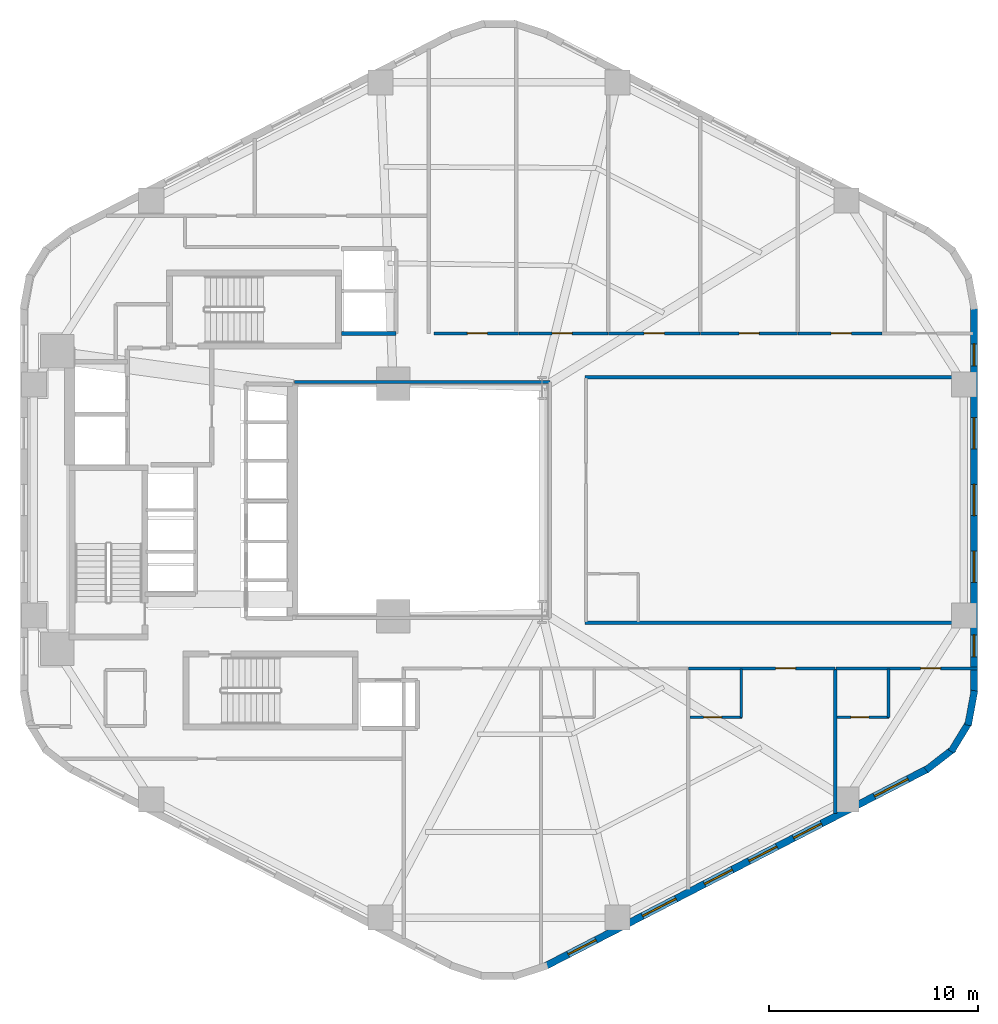
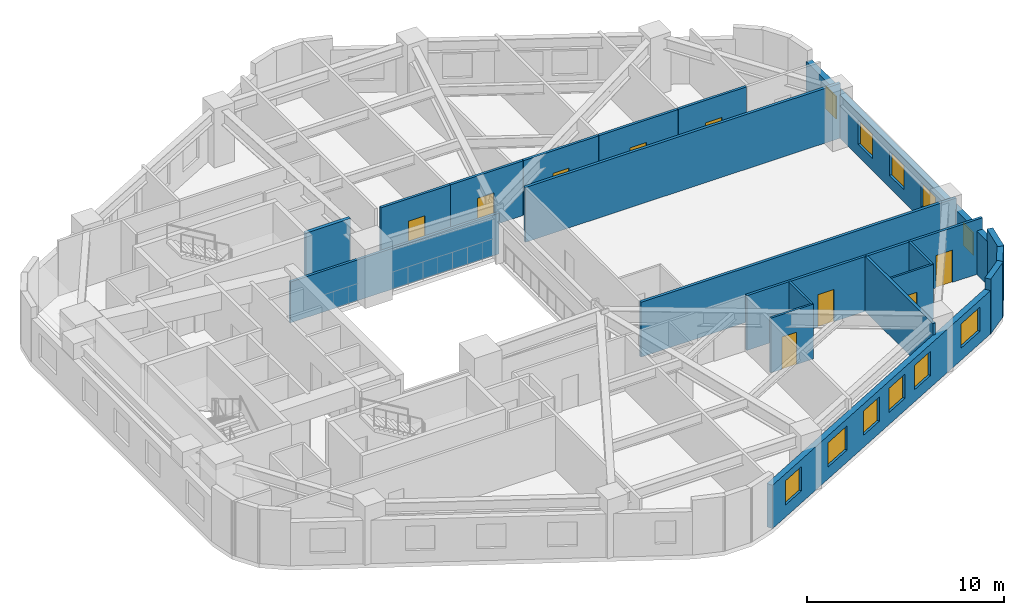
# One storey, part 4 of 7: 21 walls, 11 windows, 9 doors, 20 openings.
"""IFC4 building model written with IfcOpenShell, lengths in metres."""

from ifc_helpers import new_model, si_unit, direction, frame, frame_2d, origin, place, context, subcontext, project, spatial, rectangle, extrude, material, layer, layer_set, type_object, element, fill, save


model = new_model("IFC4")

# Units and contexts
model_context = context("Model", 3, precision=1e-05, world=origin(), true_north=direction((0.0, 1.0)))
body_context = subcontext(model_context, "Body", "Model", "MODEL_VIEW")
ifc_project = project(units=[si_unit("LENGTHUNIT", "METRE"), si_unit("AREAUNIT", "SQUARE_METRE"), si_unit("VOLUMEUNIT", "CUBIC_METRE"), si_unit("PLANEANGLEUNIT", "RADIAN"), si_unit("MASSUNIT", "GRAM", prefix="KILO"), si_unit("THERMODYNAMICTEMPERATUREUNIT", "KELVIN"), si_unit("POWERUNIT", "WATT")], contexts=[model_context])

# Site, building, storey
site_placement = place(None, origin())
site = spatial("IfcSite", under=ifc_project, at=site_placement, CompositionType="ELEMENT")
building_placement = place(site_placement, origin())
building = spatial("IfcBuilding", under=site, at=building_placement, Name="Skarre Station Tower", CompositionType="ELEMENT")
storey_placement = place(building_placement, frame((0.0, 0.0, 85.39990234375)))
storey = spatial("IfcBuildingStorey", under=building, at=storey_placement, Name="L22", CompositionType="ELEMENT", Elevation=85.39990234375)

# Wall
ifc_material_1 = material(Name="Acoustic Steel-Stud Gypsum Partition", Category="steel")
ifc_layer_1 = layer(ifc_material_1, 0.14990234375, Name="Acoustic Steel-Stud Gypsum Partition")
ifc_layer_set_1 = layer_set([ifc_layer_1], Name="Acoustic Steel-Stud Gypsum Partition")
wall_type_1 = type_object("IfcWallType", Name="Fire-Rated Corridor Acoustic Partition 150", PredefinedType="PARTITIONING", material=ifc_layer_set_1)
wall_1_placement = place(storey_placement, frame((39.840087890625, 29.639892578125, 0.0), z_axis=(0.0, 0.0, 1.0), x_axis=(-1.0, 0.0, 0.0)))
element("IfcWall", 1, at=wall_1_placement, inside=storey, type_object=wall_type_1, Name="L22 Interior Partition WL-PT-L22-ATRW-N", PredefinedType="PARTITIONING", context=body_context, shape_type="SweptSolid", body=[
    extrude(rectangle(XDim=12.2001953125, YDim=0.14990234375, at=frame_2d((6.10009765625, 0.0))), origin(), (0.0, 0.0, 1.0), 2.531005859375),
])

# Wall, opening, door
wall_2_placement = place(storey_placement, frame((38.341064453125, 31.9599609375, 0.0), z_axis=(0.0, 0.0, 1.0), x_axis=(-1.0, 0.0, 0.0)))
wall_2 = element("IfcWall", 2, at=wall_2_placement, inside=storey, type_object=wall_type_1, Name="L22 Interior Partition WL-PT-L22-NW1-CW", PredefinedType="PARTITIONING", context=body_context, shape_type="SweptSolid", body=[
    extrude(rectangle(XDim=4.051025390625, YDim=0.14990234375, at=frame_2d((2.025390625, 0.0))), origin(), (0.0, 0.0, 1.0), 3.39013671875),
])
opening_1_placement = place(wall_2_placement, frame((1.489013671875, 0.0, 0.0)))
opening_1 = element("IfcOpeningElement", 3, at=opening_1_placement, cuts=wall_2, Name="Opening DR-FD60", PredefinedType="OPENING", context=body_context, shape_type="SweptSolid", body=[
    extrude(rectangle(XDim=0.9599609375, YDim=2.0, at=frame_2d((0.47998046875, 1.0))), frame((0.0, 0.0849609375, 0.0), z_axis=(0.0, -1.0, 0.0), x_axis=(1.0, 0.0, 0.0)), (0.0, 0.0, 1.0), 0.169921875),
])
ifc_material_2 = material(Name="Nordic White-Oak Veneer Solid-Core Fire Leaf", Category="wood")
door_type_1 = type_object("IfcDoorType", Name="Corridor Suite Entry Fire Door FD60 960x2150", OperationType="SINGLE_SWING_LEFT", PredefinedType="DOOR", material=ifc_material_2)
door_1_placement = place(opening_1_placement, origin())
door_1 = element("IfcDoor", 4, at=door_1_placement, inside=storey, type_object=door_type_1, Name="L22 NW1 Entry Door", OperationType="SINGLE_SWING_LEFT", OverallHeight=2.0, OverallWidth=0.9599609375, PredefinedType="DOOR", context=body_context, shape_type="SweptSolid", body=[
    extrude(rectangle(XDim=0.9599609375, YDim=2.0, at=frame_2d((0.47998046875, 1.0))), frame((0.0, 0.02490234375, 0.0), z_axis=(0.0, -1.0, 0.0), x_axis=(1.0, 0.0, 0.0)), (0.0, 0.0, 1.0), 0.050048828125),
])
fill(opening_1, door_1)

wall_3_placement = place(storey_placement, frame((42.60498046875, 31.9599609375, 0.0), z_axis=(0.0, 0.0, 1.0), x_axis=(-1.0, 0.0, 0.0)))
wall_3 = element("IfcWall", 5, at=wall_3_placement, inside=storey, type_object=wall_type_1, Name="L22 Interior Partition WL-PT-L22-NW2-CW", PredefinedType="PARTITIONING", context=body_context, shape_type="SweptSolid", body=[
    extrude(rectangle(XDim=4.25390625, YDim=0.14990234375, at=frame_2d((2.126953125, 0.0))), origin(), (0.0, 0.0, 1.0), 3.39013671875),
])
opening_2_placement = place(wall_3_placement, frame((1.7041015625, 0.0, 0.0)))
opening_2 = element("IfcOpeningElement", 6, at=opening_2_placement, cuts=wall_3, Name="Opening DR-FD60", PredefinedType="OPENING", context=body_context, shape_type="SweptSolid", body=[
    extrude(rectangle(XDim=0.9599609375, YDim=2.0, at=frame_2d((0.47998046875, 1.0))), frame((0.0, 0.0849609375, 0.0), z_axis=(0.0, -1.0, 0.0), x_axis=(1.0, 0.0, 0.0)), (0.0, 0.0, 1.0), 0.169921875),
])
door_2_placement = place(opening_2_placement, origin())
door_2 = element("IfcDoor", 7, at=door_2_placement, inside=storey, type_object=door_type_1, Name="L22 NW2 Entry Door", OperationType="SINGLE_SWING_LEFT", OverallHeight=2.0, OverallWidth=0.9599609375, PredefinedType="DOOR", context=body_context, shape_type="SweptSolid", body=[
    extrude(rectangle(XDim=0.9599609375, YDim=2.0, at=frame_2d((0.47998046875, 1.0))), frame((0.0, 0.02490234375, 0.0), z_axis=(0.0, -1.0, 0.0), x_axis=(1.0, 0.0, 0.0)), (0.0, 0.0, 1.0), 0.050048828125),
])
fill(opening_2, door_2)

wall_4_placement = place(storey_placement, frame((47.006103515625, 31.9599609375, 0.0), z_axis=(0.0, 0.0, 1.0), x_axis=(-1.0, 0.0, 0.0)))
wall_4 = element("IfcWall", 8, at=wall_4_placement, inside=storey, type_object=wall_type_1, Name="L22 Interior Partition WL-PT-L22-NW3-CW", PredefinedType="PARTITIONING", context=body_context, shape_type="SweptSolid", body=[
    extrude(rectangle(XDim=4.369140625, YDim=0.14990234375, at=frame_2d((2.1845703125, 0.0))), origin(), (0.0, 0.0, 1.0), 3.39013671875),
])
opening_3_placement = place(wall_4_placement, frame((1.705078125, 0.0, 0.0)))
opening_3 = element("IfcOpeningElement", 9, at=opening_3_placement, cuts=wall_4, Name="Opening DR-FD60", PredefinedType="OPENING", context=body_context, shape_type="SweptSolid", body=[
    extrude(rectangle(XDim=0.9599609375, YDim=2.0, at=frame_2d((0.47998046875, 1.0))), frame((0.0, 0.0849609375, 0.0), z_axis=(0.0, -1.0, 0.0), x_axis=(1.0, 0.0, 0.0)), (0.0, 0.0, 1.0), 0.169921875),
])
door_3_placement = place(opening_3_placement, origin())
door_3 = element("IfcDoor", 10, at=door_3_placement, inside=storey, type_object=door_type_1, Name="L22 NW3 Entry Door", OperationType="SINGLE_SWING_LEFT", OverallHeight=2.0, OverallWidth=0.9599609375, PredefinedType="DOOR", context=body_context, shape_type="SweptSolid", body=[
    extrude(rectangle(XDim=0.9599609375, YDim=2.0, at=frame_2d((0.47998046875, 1.0))), frame((0.0, 0.02490234375, 0.0), z_axis=(0.0, -1.0, 0.0), x_axis=(1.0, 0.0, 0.0)), (0.0, 0.0, 1.0), 0.050048828125),
])
fill(opening_3, door_3)

wall_5_placement = place(storey_placement, frame((51.6640625, 31.9599609375, 0.0), z_axis=(0.0, 0.0, 1.0), x_axis=(-1.0, 0.0, 0.0)))
wall_5 = element("IfcWall", 11, at=wall_5_placement, inside=storey, type_object=wall_type_1, Name="L22 Interior Partition WL-PT-L22-NW4-CW", PredefinedType="PARTITIONING", context=body_context, shape_type="SweptSolid", body=[
    extrude(rectangle(XDim=4.6259765625, YDim=0.14990234375, at=frame_2d((2.31298828125, 0.0))), origin(), (0.0, 0.0, 1.0), 3.39013671875),
])
opening_4_placement = place(wall_5_placement, frame((1.8330078125, 0.0, 0.0)))
opening_4 = element("IfcOpeningElement", 12, at=opening_4_placement, cuts=wall_5, Name="Opening DR-FD60", PredefinedType="OPENING", context=body_context, shape_type="SweptSolid", body=[
    extrude(rectangle(XDim=0.9599609375, YDim=2.0, at=frame_2d((0.47998046875, 1.0))), frame((0.0, 0.0849609375, 0.0), z_axis=(0.0, -1.0, 0.0), x_axis=(1.0, 0.0, 0.0)), (0.0, 0.0, 1.0), 0.169921875),
])
door_4_placement = place(opening_4_placement, origin())
door_4 = element("IfcDoor", 13, at=door_4_placement, inside=storey, type_object=door_type_1, Name="L22 NW4 Entry Door", OperationType="SINGLE_SWING_LEFT", OverallHeight=2.0, OverallWidth=0.9599609375, PredefinedType="DOOR", context=body_context, shape_type="SweptSolid", body=[
    extrude(rectangle(XDim=0.9599609375, YDim=2.0, at=frame_2d((0.47998046875, 1.0))), frame((0.0, 0.02490234375, 0.0), z_axis=(0.0, -1.0, 0.0), x_axis=(1.0, 0.0, 0.0)), (0.0, 0.0, 1.0), 0.050048828125),
])
fill(opening_4, door_4)

wall_6_placement = place(storey_placement, frame((55.69189453125, 31.9599609375, 0.0), z_axis=(0.0, 0.0, 1.0), x_axis=(-1.0, 0.0, 0.0)))
wall_6 = element("IfcWall", 14, at=wall_6_placement, inside=storey, type_object=wall_type_1, Name="L22 Interior Partition WL-PT-L22-NW5-CW", PredefinedType="PARTITIONING", context=body_context, shape_type="SweptSolid", body=[
    extrude(rectangle(XDim=3.995849609375, YDim=0.14990234375, at=frame_2d((1.998046875, 0.0))), origin(), (0.0, 0.0, 1.0), 3.39013671875),
])
opening_5_placement = place(wall_6_placement, frame((1.4609375, 0.0, 0.0)))
opening_5 = element("IfcOpeningElement", 15, at=opening_5_placement, cuts=wall_6, Name="Opening DR-FD60", PredefinedType="OPENING", context=body_context, shape_type="SweptSolid", body=[
    extrude(rectangle(XDim=0.9599609375, YDim=2.0, at=frame_2d((0.47998046875, 1.0))), frame((0.0, 0.0849609375, 0.0), z_axis=(0.0, -1.0, 0.0), x_axis=(1.0, 0.0, 0.0)), (0.0, 0.0, 1.0), 0.169921875),
])
door_5_placement = place(opening_5_placement, origin())
door_5 = element("IfcDoor", 16, at=door_5_placement, inside=storey, type_object=door_type_1, Name="L22 NW5 Entry Door", OperationType="SINGLE_SWING_LEFT", OverallHeight=2.0, OverallWidth=0.9599609375, PredefinedType="DOOR", context=body_context, shape_type="SweptSolid", body=[
    extrude(rectangle(XDim=0.9599609375, YDim=2.0, at=frame_2d((0.47998046875, 1.0))), frame((0.0, 0.02490234375, 0.0), z_axis=(0.0, -1.0, 0.0), x_axis=(1.0, 0.0, 0.0)), (0.0, 0.0, 1.0), 0.050048828125),
])
fill(opening_5, door_5)

wall_7_placement = place(storey_placement, frame((46.4599609375, 15.9599609375, 0.0), z_axis=(0.0, 0.0, 1.0), x_axis=(1.0, 0.0, 0.0)))
wall_7 = element("IfcWall", 17, at=wall_7_placement, inside=storey, type_object=wall_type_1, Name="L22 Interior Partition WL-PT-L22-SW3-CW", PredefinedType="PARTITIONING", context=body_context, shape_type="SweptSolid", body=[
    extrude(rectangle(XDim=6.9951171875, YDim=0.14990234375, at=frame_2d((3.49755859375, 0.0))), origin(), (0.0, 0.0, 1.0), 3.39013671875),
])
opening_6_placement = place(wall_7_placement, frame((4.153076171875, 0.0, 0.0)))
opening_6 = element("IfcOpeningElement", 18, at=opening_6_placement, cuts=wall_7, Name="Opening DR-FD60", PredefinedType="OPENING", context=body_context, shape_type="SweptSolid", body=[
    extrude(rectangle(XDim=0.9599609375, YDim=2.0, at=frame_2d((0.47998046875, 1.0))), frame((0.0, 0.0849609375, 0.0), z_axis=(0.0, -1.0, 0.0), x_axis=(1.0, 0.0, 0.0)), (0.0, 0.0, 1.0), 0.169921875),
])
door_6_placement = place(opening_6_placement, origin())
door_6 = element("IfcDoor", 19, at=door_6_placement, inside=storey, type_object=door_type_1, Name="L22 SW3 Entry Door", OperationType="SINGLE_SWING_LEFT", OverallHeight=2.0, OverallWidth=0.9599609375, PredefinedType="DOOR", context=body_context, shape_type="SweptSolid", body=[
    extrude(rectangle(XDim=0.9599609375, YDim=2.0, at=frame_2d((0.47998046875, 1.0))), frame((0.0, 0.02490234375, 0.0), z_axis=(0.0, -1.0, 0.0), x_axis=(1.0, 0.0, 0.0)), (0.0, 0.0, 1.0), 0.050048828125),
])
fill(opening_6, door_6)

wall_8_placement = place(storey_placement, frame((53.490966796875, 15.9599609375, 0.0), z_axis=(0.0, 0.0, 1.0), x_axis=(1.0, 0.0, 0.0)))
wall_8 = element("IfcWall", 20, at=wall_8_placement, inside=storey, type_object=wall_type_1, Name="L22 Interior Partition WL-PT-L22-SW4-CW", PredefinedType="PARTITIONING", context=body_context, shape_type="SweptSolid", body=[
    extrude(rectangle(XDim=6.761962890625, YDim=0.14990234375, at=frame_2d((3.380859375, 0.0))), origin(), (0.0, 0.0, 1.0), 3.39013671875),
])
opening_7_placement = place(wall_8_placement, frame((4.050048828125, 0.0, 0.0)))
opening_7 = element("IfcOpeningElement", 21, at=opening_7_placement, cuts=wall_8, Name="Opening DR-FD60", PredefinedType="OPENING", context=body_context, shape_type="SweptSolid", body=[
    extrude(rectangle(XDim=0.9599609375, YDim=2.0, at=frame_2d((0.47998046875, 1.0))), frame((0.0, 0.0849609375, 0.0), z_axis=(0.0, -1.0, 0.0), x_axis=(1.0, 0.0, 0.0)), (0.0, 0.0, 1.0), 0.169921875),
])
door_7_placement = place(opening_7_placement, origin())
door_7 = element("IfcDoor", 22, at=door_7_placement, inside=storey, type_object=door_type_1, Name="L22 SW4 Entry Door", OperationType="SINGLE_SWING_LEFT", OverallHeight=2.0, OverallWidth=0.9599609375, PredefinedType="DOOR", context=body_context, shape_type="SweptSolid", body=[
    extrude(rectangle(XDim=0.9599609375, YDim=2.0, at=frame_2d((0.47998046875, 1.0))), frame((0.0, 0.02490234375, 0.0), z_axis=(0.0, -1.0, 0.0), x_axis=(1.0, 0.0, 0.0)), (0.0, 0.0, 1.0), 0.050048828125),
])
fill(opening_7, door_7)

ifc_material_3 = material(Name="Insulated Timber-Stud Gypsum Partition", Category="wood")
ifc_layer_2 = layer(ifc_material_3, 0.1201171875, Name="Insulated Timber-Stud Gypsum Partition")
ifc_layer_set_2 = layer_set([ifc_layer_2], Name="Insulated Timber-Stud Gypsum Partition")
wall_type_2 = type_object("IfcWallType", Name="Internal Suite Acoustic Partition 120", PredefinedType="PARTITIONING", material=ifc_layer_set_2)
wall_9_placement = place(storey_placement, frame((46.527099609375, 13.6201171875, 0.0), z_axis=(0.0, 0.0, 1.0), x_axis=(1.0, 0.0, 0.0)))
wall_9 = element("IfcWall", 23, at=wall_9_placement, inside=storey, type_object=wall_type_2, Name="L22 Interior Partition WL-PT-L22-SW3-SA1", PredefinedType="PARTITIONING", context=body_context, shape_type="SweptSolid", body=[
    extrude(rectangle(XDim=2.47998046875, YDim=0.1201171875, at=frame_2d((1.239990234375, 0.0))), origin(), (0.0, 0.0, 1.0), 3.39013671875),
])
opening_8_placement = place(wall_9_placement, frame((0.64990234375, 0.0, 0.0)))
opening_8 = element("IfcOpeningElement", 24, at=opening_8_placement, cuts=wall_9, Name="Opening DR-INT86", PredefinedType="OPENING", context=body_context, shape_type="SweptSolid", body=[
    extrude(rectangle(XDim=0.860107421875, YDim=2.0, at=frame_2d((0.43017578125, 1.0))), frame((0.0, 0.070068359375, 0.0), z_axis=(0.0, -1.0, 0.0), x_axis=(1.0, 0.0, 0.0)), (0.0, 0.0, 1.0), 0.14013671875),
])
ifc_material_4 = material(Name="Nordic Birch Acoustic Solid-Core Timber Leaf", Category="wood")
door_type_2 = type_object("IfcDoorType", Name="Internal En-Suite & Bedroom Door 860x2100", OperationType="SINGLE_SWING_LEFT", PredefinedType="DOOR", material=ifc_material_4)
door_8_placement = place(opening_8_placement, origin())
door_8 = element("IfcDoor", 25, at=door_8_placement, inside=storey, type_object=door_type_2, Name="L22 SW3 Alcove Store Door", OperationType="SINGLE_SWING_LEFT", OverallHeight=2.0, OverallWidth=0.860107421875, PredefinedType="DOOR", context=body_context, shape_type="SweptSolid", body=[
    extrude(rectangle(XDim=0.860107421875, YDim=2.0, at=frame_2d((0.43017578125, 1.0))), frame((0.0, 0.02490234375, 0.0), z_axis=(0.0, -1.0, 0.0), x_axis=(1.0, 0.0, 0.0)), (0.0, 0.0, 1.0), 0.050048828125),
])
fill(opening_8, door_8)

# Wall
wall_10_placement = place(storey_placement, frame((48.97705078125, 13.6201171875, 0.0), z_axis=(0.0, 0.0, 1.0), x_axis=(0.0, 1.0, 0.0)))
element("IfcWall", 26, at=wall_10_placement, inside=storey, type_object=wall_type_2, Name="L22 Interior Partition WL-PT-L22-SW3-SA2", PredefinedType="PARTITIONING", context=body_context, shape_type="SweptSolid", body=[
    extrude(rectangle(XDim=2.2998046875, YDim=0.1201171875, at=frame_2d((1.14990234375, 0.0))), origin(), (0.0, 0.0, 1.0), 3.39013671875),
])

# Wall, opening, door
wall_11_placement = place(storey_placement, frame((53.55810546875, 13.6201171875, 0.0), z_axis=(0.0, 0.0, 1.0), x_axis=(1.0, 0.0, 0.0)))
wall_11 = element("IfcWall", 27, at=wall_11_placement, inside=storey, type_object=wall_type_2, Name="L22 Interior Partition WL-PT-L22-SW4-SA1", PredefinedType="PARTITIONING", context=body_context, shape_type="SweptSolid", body=[
    extrude(rectangle(XDim=2.47998046875, YDim=0.1201171875, at=frame_2d((1.239990234375, 0.0))), origin(), (0.0, 0.0, 1.0), 3.39013671875),
])
opening_9_placement = place(wall_11_placement, frame((0.64990234375, 0.0, 0.0)))
opening_9 = element("IfcOpeningElement", 28, at=opening_9_placement, cuts=wall_11, Name="Opening DR-INT86", PredefinedType="OPENING", context=body_context, shape_type="SweptSolid", body=[
    extrude(rectangle(XDim=0.860107421875, YDim=2.0, at=frame_2d((0.43017578125, 1.0))), frame((0.0, 0.070068359375, 0.0), z_axis=(0.0, -1.0, 0.0), x_axis=(1.0, 0.0, 0.0)), (0.0, 0.0, 1.0), 0.14013671875),
])
door_9_placement = place(opening_9_placement, origin())
door_9 = element("IfcDoor", 29, at=door_9_placement, inside=storey, type_object=door_type_2, Name="L22 SW4 Alcove Store Door", OperationType="SINGLE_SWING_LEFT", OverallHeight=2.0, OverallWidth=0.860107421875, PredefinedType="DOOR", context=body_context, shape_type="SweptSolid", body=[
    extrude(rectangle(XDim=0.860107421875, YDim=2.0, at=frame_2d((0.43017578125, 1.0))), frame((0.0, 0.02490234375, 0.0), z_axis=(0.0, -1.0, 0.0), x_axis=(1.0, 0.0, 0.0)), (0.0, 0.0, 1.0), 0.050048828125),
])
fill(opening_9, door_9)

# Wall
wall_12_placement = place(storey_placement, frame((56.008056640625, 13.6201171875, 0.0), z_axis=(0.0, 0.0, 1.0), x_axis=(0.0, 1.0, 0.0)))
element("IfcWall", 30, at=wall_12_placement, inside=storey, type_object=wall_type_2, Name="L22 Interior Partition WL-PT-L22-SW4-SA2", PredefinedType="PARTITIONING", context=body_context, shape_type="SweptSolid", body=[
    extrude(rectangle(XDim=2.2998046875, YDim=0.1201171875, at=frame_2d((1.14990234375, 0.0))), origin(), (0.0, 0.0, 1.0), 3.39013671875),
])

# Wall, openings, windows
ifc_material_5 = material(Name="Precast concrete C45/55", Category="concrete")
ifc_layer_3 = layer(ifc_material_5, 0.340087890625, Name="Precast concrete C45/55")
ifc_layer_set_3 = layer_set([ifc_layer_3], Name="Precast concrete C45/55")
wall_type_3 = type_object("IfcWallType", Name="Nordic Honed Precast Facet Wall 340", PredefinedType="STANDARD", material=ifc_layer_set_3)
wall_13_placement = place(storey_placement, frame((57.8759765625, 11.158935546875, 0.0), z_axis=(0.0, 0.0, 1.0), x_axis=(-0.888634413993, -0.458616264721, 0.0)))
wall_13 = element("IfcWall", 31, at=wall_13_placement, inside=storey, type_object=wall_type_3, Name="L22 Facet 4 Nordic Precast Masonry Wall", PredefinedType="STANDARD", context=body_context, shape_type="SweptSolid", body=[
    extrude(rectangle(XDim=20.53125, YDim=0.340087890625, at=frame_2d((10.265625, 0.0))), origin(), (0.0, 0.0, 1.0), 2.68408203125),
])
opening_10_placement = place(wall_13_placement, frame((1.05810546875, 0.0, 0.75)))
opening_10 = element("IfcOpeningElement", 32, at=opening_10_placement, cuts=wall_13, Name="Opening WN-Z1A", PredefinedType="OPENING", context=body_context, shape_type="SweptSolid", body=[
    extrude(rectangle(XDim=1.800048828125, YDim=1.5, at=frame_2d((0.89990234375, 0.75))), frame((0.0, 0.179931640625, 0.0), z_axis=(0.0, -1.0, 0.0), x_axis=(1.0, 0.0, 0.0)), (0.0, 0.0, 1.0), 0.360107421875),
])
opening_11_placement = place(wall_13_placement, frame((5.702880859375, 0.0, 0.75)))
opening_11 = element("IfcOpeningElement", 33, at=opening_11_placement, cuts=wall_13, Name="Opening WN-Z1B", PredefinedType="OPENING", context=body_context, shape_type="SweptSolid", body=[
    extrude(rectangle(XDim=1.5, YDim=1.5, at=frame_2d((0.75, 0.75))), frame((0.0, 0.179931640625, 0.0), z_axis=(0.0, -1.0, 0.0), x_axis=(1.0, 0.0, 0.0)), (0.0, 0.0, 1.0), 0.360107421875),
])
opening_12_placement = place(wall_13_placement, frame((8.09912109375, 0.0, 0.75)))
opening_12 = element("IfcOpeningElement", 34, at=opening_12_placement, cuts=wall_13, Name="Opening WN-Z1B", PredefinedType="OPENING", context=body_context, shape_type="SweptSolid", body=[
    extrude(rectangle(XDim=1.5, YDim=1.5, at=frame_2d((0.75, 0.75))), frame((0.0, 0.179931640625, 0.0), z_axis=(0.0, -1.0, 0.0), x_axis=(1.0, 0.0, 0.0)), (0.0, 0.0, 1.0), 0.360107421875),
])
opening_13_placement = place(wall_13_placement, frame((10.4951171875, 0.0, 0.75)))
opening_13 = element("IfcOpeningElement", 35, at=opening_13_placement, cuts=wall_13, Name="Opening WN-Z1B", PredefinedType="OPENING", context=body_context, shape_type="SweptSolid", body=[
    extrude(rectangle(XDim=1.5, YDim=1.5, at=frame_2d((0.75, 0.75))), frame((0.0, 0.179931640625, 0.0), z_axis=(0.0, -1.0, 0.0), x_axis=(1.0, 0.0, 0.0)), (0.0, 0.0, 1.0), 0.360107421875),
])
opening_14_placement = place(wall_13_placement, frame((13.52587890625, 0.0, 0.75)))
opening_14 = element("IfcOpeningElement", 36, at=opening_14_placement, cuts=wall_13, Name="Opening WN-Z1A", PredefinedType="OPENING", context=body_context, shape_type="SweptSolid", body=[
    extrude(rectangle(XDim=1.800048828125, YDim=1.5, at=frame_2d((0.89990234375, 0.75))), frame((0.0, 0.179931640625, 0.0), z_axis=(0.0, -1.0, 0.0), x_axis=(1.0, 0.0, 0.0)), (0.0, 0.0, 1.0), 0.360107421875),
])
opening_15_placement = place(wall_13_placement, frame((17.822998046875, 0.0, 0.75)))
opening_15 = element("IfcOpeningElement", 37, at=opening_15_placement, cuts=wall_13, Name="Opening WN-Z1B", PredefinedType="OPENING", context=body_context, shape_type="SweptSolid", body=[
    extrude(rectangle(XDim=1.5, YDim=1.5, at=frame_2d((0.75, 0.75))), frame((0.0, 0.179931640625, 0.0), z_axis=(0.0, -1.0, 0.0), x_axis=(1.0, 0.0, 0.0)), (0.0, 0.0, 1.0), 0.360107421875),
])
ifc_material_6 = material(Name="Low-Iron Triple Glazing with Bronze Anodized Frame", Category="glass")
window_type_1 = type_object("IfcWindowType", Name="Nordic Punched Triple-Glazed Window 1500x1500", PartitioningType="SINGLE_PANEL", PredefinedType="WINDOW", material=ifc_material_6)
window_1_placement = place(opening_11_placement, origin())
window_1 = element("IfcWindow", 38, at=window_1_placement, inside=storey, type_object=window_type_1, Name="L22 Facade Window WL-FAC-L22-F4-2", OverallHeight=1.5, OverallWidth=1.5, PartitioningType="SINGLE_PANEL", PredefinedType="WINDOW", context=body_context, shape_type="SweptSolid", body=[
    extrude(rectangle(XDim=1.5, YDim=1.5, at=frame_2d((0.75, 0.75))), frame((0.0, 0.030029296875, 0.0), z_axis=(0.0, -1.0, 0.0), x_axis=(1.0, 0.0, 0.0)), (0.0, 0.0, 1.0), 0.06005859375),
])
fill(opening_11, window_1)
window_2_placement = place(opening_12_placement, origin())
window_2 = element("IfcWindow", 39, at=window_2_placement, inside=storey, type_object=window_type_1, Name="L22 Facade Window WL-FAC-L22-F4-3", OverallHeight=1.5, OverallWidth=1.5, PartitioningType="SINGLE_PANEL", PredefinedType="WINDOW", context=body_context, shape_type="SweptSolid", body=[
    extrude(rectangle(XDim=1.5, YDim=1.5, at=frame_2d((0.75, 0.75))), frame((0.0, 0.030029296875, 0.0), z_axis=(0.0, -1.0, 0.0), x_axis=(1.0, 0.0, 0.0)), (0.0, 0.0, 1.0), 0.06005859375),
])
fill(opening_12, window_2)
window_3_placement = place(opening_13_placement, origin())
window_3 = element("IfcWindow", 40, at=window_3_placement, inside=storey, type_object=window_type_1, Name="L22 Facade Window WL-FAC-L22-F4-4", OverallHeight=1.5, OverallWidth=1.5, PartitioningType="SINGLE_PANEL", PredefinedType="WINDOW", context=body_context, shape_type="SweptSolid", body=[
    extrude(rectangle(XDim=1.5, YDim=1.5, at=frame_2d((0.75, 0.75))), frame((0.0, 0.030029296875, 0.0), z_axis=(0.0, -1.0, 0.0), x_axis=(1.0, 0.0, 0.0)), (0.0, 0.0, 1.0), 0.06005859375),
])
fill(opening_13, window_3)
window_4_placement = place(opening_15_placement, origin())
window_4 = element("IfcWindow", 41, at=window_4_placement, inside=storey, type_object=window_type_1, Name="L22 Facade Window WL-FAC-L22-F4-6", OverallHeight=1.5, OverallWidth=1.5, PartitioningType="SINGLE_PANEL", PredefinedType="WINDOW", context=body_context, shape_type="SweptSolid", body=[
    extrude(rectangle(XDim=1.5, YDim=1.5, at=frame_2d((0.75, 0.75))), frame((0.0, 0.030029296875, 0.0), z_axis=(0.0, -1.0, 0.0), x_axis=(1.0, 0.0, 0.0)), (0.0, 0.0, 1.0), 0.06005859375),
])
fill(opening_15, window_4)
window_type_2 = type_object("IfcWindowType", Name="Nordic Punched Triple-Glazed Window 1800x1500", PartitioningType="SINGLE_PANEL", PredefinedType="WINDOW", material=ifc_material_6)
window_5_placement = place(opening_10_placement, origin())
window_5 = element("IfcWindow", 42, at=window_5_placement, inside=storey, type_object=window_type_2, Name="L22 Facade Window WL-FAC-L22-F4-1", OverallHeight=1.5, OverallWidth=1.800048828125, PartitioningType="SINGLE_PANEL", PredefinedType="WINDOW", context=body_context, shape_type="SweptSolid", body=[
    extrude(rectangle(XDim=1.800048828125, YDim=1.5, at=frame_2d((0.89990234375, 0.75))), frame((0.0, 0.030029296875, 0.0), z_axis=(0.0, -1.0, 0.0), x_axis=(1.0, 0.0, 0.0)), (0.0, 0.0, 1.0), 0.06005859375),
])
fill(opening_10, window_5)
window_6_placement = place(opening_14_placement, origin())
window_6 = element("IfcWindow", 43, at=window_6_placement, inside=storey, type_object=window_type_2, Name="L22 Facade Window WL-FAC-L22-F4-5", OverallHeight=1.5, OverallWidth=1.800048828125, PartitioningType="SINGLE_PANEL", PredefinedType="WINDOW", context=body_context, shape_type="SweptSolid", body=[
    extrude(rectangle(XDim=1.800048828125, YDim=1.5, at=frame_2d((0.89990234375, 0.75))), frame((0.0, 0.030029296875, 0.0), z_axis=(0.0, -1.0, 0.0), x_axis=(1.0, 0.0, 0.0)), (0.0, 0.0, 1.0), 0.06005859375),
])
fill(opening_14, window_6)

wall_14_placement = place(storey_placement, frame((60.093017578125, 33.201904296875, 0.0), z_axis=(0.0, 0.0, 1.0), x_axis=(0.0, -1.0, 0.0)))
wall_14 = element("IfcWall", 44, at=wall_14_placement, inside=storey, type_object=wall_type_3, Name="L22 Facet 5 Nordic Precast Masonry Wall", PredefinedType="STANDARD", context=body_context, shape_type="SweptSolid", body=[
    extrude(rectangle(XDim=18.40380859375, YDim=0.340087890625, at=frame_2d((9.201904296875, 0.0))), origin(), (0.0, 0.0, 1.0), 2.68408203125),
])
opening_16_placement = place(wall_14_placement, frame((1.743896484375, 0.0, 0.75)))
opening_16 = element("IfcOpeningElement", 45, at=opening_16_placement, cuts=wall_14, Name="Opening WN-SLT", PredefinedType="OPENING", context=body_context, shape_type="SweptSolid", body=[
    extrude(rectangle(XDim=1.050048828125, YDim=1.39990234375, at=frame_2d((0.52490234375, 0.699951171875))), frame((0.0, 0.179931640625, 0.0), z_axis=(0.0, -1.0, 0.0), x_axis=(1.0, 0.0, 0.0)), (0.0, 0.0, 1.0), 0.360107421875),
])
opening_17_placement = place(wall_14_placement, frame((5.264892578125, 0.0, 0.75)))
opening_17 = element("IfcOpeningElement", 46, at=opening_17_placement, cuts=wall_14, Name="Opening WN-Z1B", PredefinedType="OPENING", context=body_context, shape_type="SweptSolid", body=[
    extrude(rectangle(XDim=1.5, YDim=1.5, at=frame_2d((0.75, 0.75))), frame((0.0, 0.179931640625, 0.0), z_axis=(0.0, -1.0, 0.0), x_axis=(1.0, 0.0, 0.0)), (0.0, 0.0, 1.0), 0.360107421875),
])
opening_18_placement = place(wall_14_placement, frame((8.451904296875, 0.0, 0.75)))
opening_18 = element("IfcOpeningElement", 47, at=opening_18_placement, cuts=wall_14, Name="Opening WN-Z1B", PredefinedType="OPENING", context=body_context, shape_type="SweptSolid", body=[
    extrude(rectangle(XDim=1.5, YDim=1.5, at=frame_2d((0.75, 0.75))), frame((0.0, 0.179931640625, 0.0), z_axis=(0.0, -1.0, 0.0), x_axis=(1.0, 0.0, 0.0)), (0.0, 0.0, 1.0), 0.360107421875),
])
opening_19_placement = place(wall_14_placement, frame((11.638916015625, 0.0, 0.75)))
opening_19 = element("IfcOpeningElement", 48, at=opening_19_placement, cuts=wall_14, Name="Opening WN-Z1B", PredefinedType="OPENING", context=body_context, shape_type="SweptSolid", body=[
    extrude(rectangle(XDim=1.5, YDim=1.5, at=frame_2d((0.75, 0.75))), frame((0.0, 0.179931640625, 0.0), z_axis=(0.0, -1.0, 0.0), x_axis=(1.0, 0.0, 0.0)), (0.0, 0.0, 1.0), 0.360107421875),
])
opening_20_placement = place(wall_14_placement, frame((15.64990234375, 0.0, 0.75)))
opening_20 = element("IfcOpeningElement", 49, at=opening_20_placement, cuts=wall_14, Name="Opening WN-SLT", PredefinedType="OPENING", context=body_context, shape_type="SweptSolid", body=[
    extrude(rectangle(XDim=1.050048828125, YDim=1.39990234375, at=frame_2d((0.52490234375, 0.699951171875))), frame((0.0, 0.179931640625, 0.0), z_axis=(0.0, -1.0, 0.0), x_axis=(1.0, 0.0, 0.0)), (0.0, 0.0, 1.0), 0.360107421875),
])
window_type_3 = type_object("IfcWindowType", Name="Nordic Corner Slot Window 1050x1400", PartitioningType="SINGLE_PANEL", PredefinedType="WINDOW", material=ifc_material_6)
window_7_placement = place(opening_16_placement, origin())
window_7 = element("IfcWindow", 50, at=window_7_placement, inside=storey, type_object=window_type_3, Name="L22 Facade Window WL-FAC-L22-F5-1", OverallHeight=1.39990234375, OverallWidth=1.050048828125, PartitioningType="SINGLE_PANEL", PredefinedType="WINDOW", context=body_context, shape_type="SweptSolid", body=[
    extrude(rectangle(XDim=1.050048828125, YDim=1.39990234375, at=frame_2d((0.52490234375, 0.699951171875))), frame((0.0, 0.030029296875, 0.0), z_axis=(0.0, -1.0, 0.0), x_axis=(1.0, 0.0, 0.0)), (0.0, 0.0, 1.0), 0.06005859375),
])
fill(opening_16, window_7)
window_8_placement = place(opening_20_placement, origin())
window_8 = element("IfcWindow", 51, at=window_8_placement, inside=storey, type_object=window_type_3, Name="L22 Facade Window WL-FAC-L22-F5-5", OverallHeight=1.39990234375, OverallWidth=1.050048828125, PartitioningType="SINGLE_PANEL", PredefinedType="WINDOW", context=body_context, shape_type="SweptSolid", body=[
    extrude(rectangle(XDim=1.050048828125, YDim=1.39990234375, at=frame_2d((0.52490234375, 0.699951171875))), frame((0.0, 0.030029296875, 0.0), z_axis=(0.0, -1.0, 0.0), x_axis=(1.0, 0.0, 0.0)), (0.0, 0.0, 1.0), 0.06005859375),
])
fill(opening_20, window_8)
window_9_placement = place(opening_17_placement, origin())
window_9 = element("IfcWindow", 52, at=window_9_placement, inside=storey, type_object=window_type_1, Name="L22 Facade Window WL-FAC-L22-F5-2", OverallHeight=1.5, OverallWidth=1.5, PartitioningType="SINGLE_PANEL", PredefinedType="WINDOW", context=body_context, shape_type="SweptSolid", body=[
    extrude(rectangle(XDim=1.5, YDim=1.5, at=frame_2d((0.75, 0.75))), frame((0.0, 0.030029296875, 0.0), z_axis=(0.0, -1.0, 0.0), x_axis=(1.0, 0.0, 0.0)), (0.0, 0.0, 1.0), 0.06005859375),
])
fill(opening_17, window_9)
window_10_placement = place(opening_18_placement, origin())
window_10 = element("IfcWindow", 53, at=window_10_placement, inside=storey, type_object=window_type_1, Name="L22 Facade Window WL-FAC-L22-F5-3", OverallHeight=1.5, OverallWidth=1.5, PartitioningType="SINGLE_PANEL", PredefinedType="WINDOW", context=body_context, shape_type="SweptSolid", body=[
    extrude(rectangle(XDim=1.5, YDim=1.5, at=frame_2d((0.75, 0.75))), frame((0.0, 0.030029296875, 0.0), z_axis=(0.0, -1.0, 0.0), x_axis=(1.0, 0.0, 0.0)), (0.0, 0.0, 1.0), 0.06005859375),
])
fill(opening_18, window_10)
window_11_placement = place(opening_19_placement, origin())
window_11 = element("IfcWindow", 54, at=window_11_placement, inside=storey, type_object=window_type_1, Name="L22 Facade Window WL-FAC-L22-F5-4", OverallHeight=1.5, OverallWidth=1.5, PartitioningType="SINGLE_PANEL", PredefinedType="WINDOW", context=body_context, shape_type="SweptSolid", body=[
    extrude(rectangle(XDim=1.5, YDim=1.5, at=frame_2d((0.75, 0.75))), frame((0.0, 0.030029296875, 0.0), z_axis=(0.0, -1.0, 0.0), x_axis=(1.0, 0.0, 0.0)), (0.0, 0.0, 1.0), 0.06005859375),
])
fill(opening_19, window_11)

# Walls
ifc_layer_4 = layer(ifc_material_5, 0.330078125, Name="Precast concrete C45/55")
ifc_layer_set_4 = layer_set([ifc_layer_4], Name="Precast concrete C45/55")
wall_type_4 = type_object("IfcWallType", Name="Nordic Rounded Corner Precast Wall 330", PredefinedType="STANDARD", material=ifc_layer_set_4)
wall_15_placement = place(storey_placement, frame((60.113037109375, 14.89208984375, 0.0), z_axis=(0.0, 0.0, 1.0), x_axis=(-0.181714143354, -0.983351397063, 0.0)))
element("IfcWall", 55, at=wall_15_placement, inside=storey, type_object=wall_type_4, Name="L22 Rounded Corner Precast Wall F5-1", PredefinedType="STANDARD", context=body_context, shape_type="SweptSolid", body=[
    extrude(rectangle(XDim=1.677978515625, YDim=0.330078125, at=frame_2d((0.8388671875, 0.0))), origin(), (0.0, 0.0, 1.0), 3.39013671875),
])
wall_16_placement = place(storey_placement, frame((59.875, 13.4169921875, 0.0), z_axis=(0.0, 0.0, 1.0), x_axis=(-0.520584129191, -0.853810379671, 0.0)))
element("IfcWall", 56, at=wall_16_placement, inside=storey, type_object=wall_type_4, Name="L22 Rounded Corner Precast Wall F5-2", PredefinedType="STANDARD", context=body_context, shape_type="SweptSolid", body=[
    extrude(rectangle(XDim=1.677001953125, YDim=0.330078125, at=frame_2d((0.83837890625, 0.0))), origin(), (0.0, 0.0, 1.0), 3.39013671875),
])
wall_17_placement = place(storey_placement, frame((59.126953125, 12.125, 0.0), z_axis=(0.0, 0.0, 1.0), x_axis=(-0.790691856293, -0.61221433207, 0.0)))
element("IfcWall", 57, at=wall_17_placement, inside=storey, type_object=wall_type_4, Name="L22 Rounded Corner Precast Wall F5-3", PredefinedType="STANDARD", context=body_context, shape_type="SweptSolid", body=[
    extrude(rectangle(XDim=1.67578125, YDim=0.330078125, at=frame_2d((0.837890625, 0.0))), origin(), (0.0, 0.0, 1.0), 3.39013671875),
])
ifc_material_7 = material(Name="Gypsum Concrete Shaft Assembly C30/37", Category="concrete")
ifc_layer_5 = layer(ifc_material_7, 0.199951171875, Name="Gypsum Concrete Shaft Assembly C30/37")
ifc_layer_set_5 = layer_set([ifc_layer_5], Name="Gypsum Concrete Shaft Assembly C30/37")
wall_type_5 = type_object("IfcWallType", Name="Shaft & Core Fire Partition 200", PredefinedType="PARTITIONING", material=ifc_layer_set_5)
wall_18_placement = place(storey_placement, frame((32.47998046875, 31.949951171875, 0.0), z_axis=(0.0, 0.0, 1.0), x_axis=(-1.0, 0.0, 0.0)))
element("IfcWall", 58, at=wall_18_placement, inside=storey, type_object=wall_type_5, Name="L22 Interior Partition WL-PT-L22-EX-S", PredefinedType="PARTITIONING", context=body_context, shape_type="SweptSolid", body=[
    extrude(rectangle(XDim=2.60009765625, YDim=0.199951171875, at=frame_2d((1.300048828125, 0.0))), origin(), (0.0, 0.0, 1.0), 3.39013671875),
])
ifc_layer_6 = layer(ifc_material_1, 0.1650390625, Name="Acoustic Steel-Stud Gypsum Partition")
ifc_layer_set_6 = layer_set([ifc_layer_6], Name="Acoustic Steel-Stud Gypsum Partition")
wall_type_6 = type_object("IfcWallType", Name="Suite Demising Acoustic Partition 165", PredefinedType="PARTITIONING", material=ifc_layer_set_6)
for number, where, z_axis, x_axis, name in (
    (59, (41.52001953125, 18.139892578125, 0.0), (0.0, 0.0, 1.0), (1.0, 0.0, 0.0), "L22 Interior Partition WL-PT-L22-EWB-S"),
    (60, (41.52001953125, 29.860107421875, 0.0), (0.0, 0.0, 1.0), (1.0, 0.0, 0.0), "L22 Interior Partition WL-PT-L22-EWB-N"),
):
    element("IfcWall", number, at=place(storey_placement, frame(where, z_axis=z_axis, x_axis=x_axis)), inside=storey, type_object=wall_type_6, Name=name, PredefinedType="PARTITIONING", context=body_context, shape_type="SweptSolid", body=[
        extrude(rectangle(XDim=18.452880859375, YDim=0.1650390625, at=frame_2d((9.2265625, 0.0))), origin(), (0.0, 0.0, 1.0), 3.39013671875),
    ])
wall_19_placement = place(storey_placement, frame((53.472900390625, 9.02197265625, 0.0), z_axis=(0.0, 0.0, 1.0), x_axis=(0.0, 1.0, 0.0)))
element("IfcWall", 61, at=wall_19_placement, inside=storey, type_object=wall_type_6, Name="L22 Interior Partition WL-PT-L22-SW-P3", PredefinedType="PARTITIONING", context=body_context, shape_type="SweptSolid", body=[
    extrude(rectangle(XDim=6.907958984375, YDim=0.1650390625, at=frame_2d((3.4541015625, 0.0))), origin(), (0.0, 0.0, 1.0), 3.39013671875),
])

save(model, "model.ifc")
